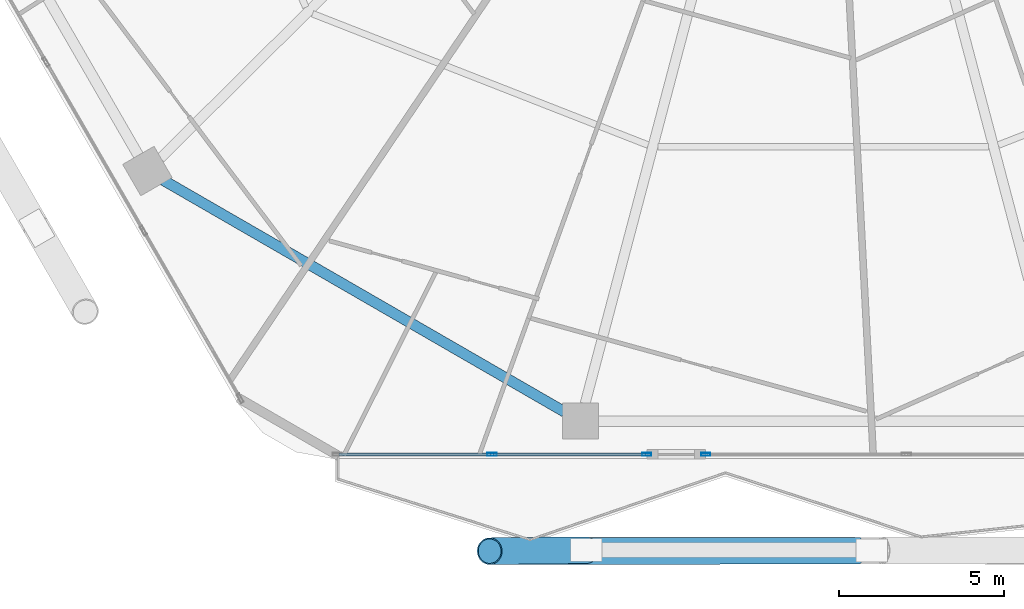
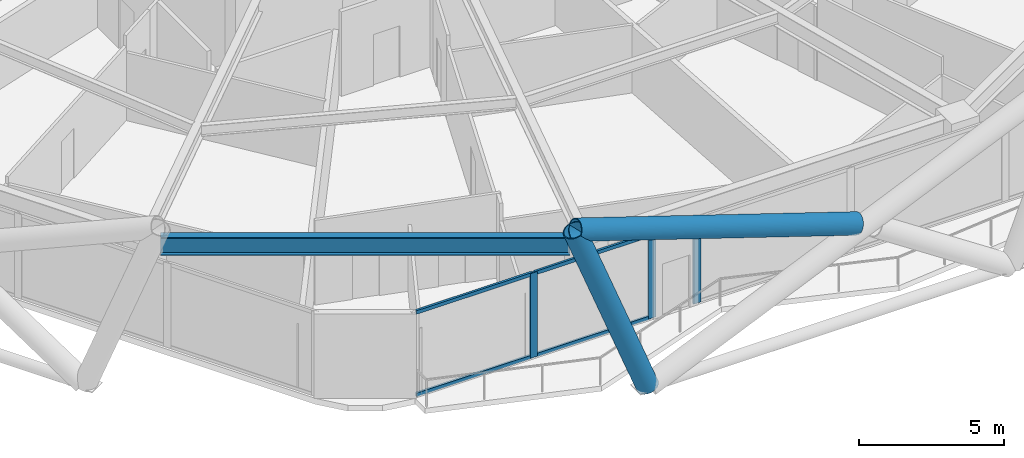
# One storey, part 3 of 35: 9 members, 1 beam, 2 elements without a shape of their own.
"""IFC4 building model written with IfcOpenShell, lengths in metres."""

from ifc_helpers import new_model, si_unit, direction, frame, origin, origin_2d, place, context, subcontext, project, spatial, hollow_rectangle, hollow_circle, i_section, extrude, material, material_profile, profile_set, type_object, element, aggregate, save


model = new_model("IFC4")

# Units and contexts
model_context = context("Model", 3, precision=1e-05, world=origin(), true_north=direction((0.0, 1.0)))
body_context = subcontext(model_context, "Body", "Model", "MODEL_VIEW")
ifc_project = project(units=[si_unit("LENGTHUNIT", "METRE"), si_unit("AREAUNIT", "SQUARE_METRE"), si_unit("VOLUMEUNIT", "CUBIC_METRE"), si_unit("PLANEANGLEUNIT", "RADIAN"), si_unit("MASSUNIT", "GRAM", prefix="KILO")], contexts=[model_context])

# Site, building, storey
site_placement = place(None, origin())
site = spatial("IfcSite", under=ifc_project, at=site_placement, CompositionType="ELEMENT")
building_placement = place(site_placement, origin())
building = spatial("IfcBuilding", under=site, at=building_placement, Name="Zuhravey Tower", CompositionType="ELEMENT")
storey_placement = place(building_placement, frame((0.0, 0.0, 115.199951171875)))
storey = spatial("IfcBuildingStorey", under=building, at=storey_placement, Name="L28", CompositionType="ELEMENT", Elevation=115.199951171875)

# Curtain wall, member
ifc_material_1 = material(Name="Thermally broken anodised aluminium", Category="aluminium")
curtain_wall_type = type_object("IfcCurtainWallType", Name="Zone 1-2 Residential Curtain Wall CW3", PredefinedType="NOTDEFINED", material=ifc_material_1)
curtain_wall_1_placement = place(storey_placement, origin())
curtain_wall_1 = element("IfcCurtainWall", 1, at=curtain_wall_1_placement, inside=storey, type_object=curtain_wall_type, Name="L28 CW3 CW-L28-F5-1", PredefinedType="NOTDEFINED")
ifc_material_2 = material(Name="Anodised aluminium", Category="aluminium")
ifc_material_profile_1 = material_profile(ifc_material_2, hollow_rectangle(XDim=0.090087890625, YDim=0.284912109375, WallThickness=0.0048828125, at=origin_2d()), Name="ALU-RHS-90x285x5")
ifc_profile_set_1 = profile_set([ifc_material_profile_1], Name="Anodised aluminium")
member_type_1 = type_object("IfcMemberType", Name="Curtain-Wall Mullion 90x180", PredefinedType="MULLION", material=ifc_profile_set_1)
member_1_placement = place(storey_placement, frame((32.4326171875, 3.04150390625, 0.0), z_axis=(0.0, 0.0, 1.0), x_axis=(0.0, -1.0, 0.0)))
member_1 = element("IfcMember", 2, at=member_1_placement, type_object=member_type_1, Name="CW3 mullion 4", PredefinedType="MULLION", context=body_context, shape_type="SweptSolid", body=[
    extrude(hollow_rectangle(XDim=0.090087890625, YDim=0.284912109375, WallThickness=0.0048828125, at=origin_2d()), origin(), (0.0, 0.0, 1.0), 3.550048828125),
])
aggregate(curtain_wall_1, [member_1])

# Curtain wall, members
curtain_wall_2_placement = place(storey_placement, origin())
curtain_wall_2 = element("IfcCurtainWall", 3, at=curtain_wall_2_placement, inside=storey, type_object=curtain_wall_type, Name="L28 CW3 CW-L28-F5-2", PredefinedType="NOTDEFINED")
member_2_placement = place(storey_placement, frame((30.642578125, 3.04150390625, 0.0), z_axis=(0.0, 0.0, 1.0), x_axis=(0.0, -1.0, 0.0)))
member_2 = element("IfcMember", 4, at=member_2_placement, type_object=member_type_1, Name="CW3 mullion 1", PredefinedType="MULLION", context=body_context, shape_type="SweptSolid", body=[
    extrude(hollow_rectangle(XDim=0.090087890625, YDim=0.284912109375, WallThickness=0.0048828125, at=origin_2d()), origin(), (0.0, 0.0, 1.0), 3.550048828125),
])
member_3_placement = place(storey_placement, frame((25.944091796875, 3.04150390625, 0.0), z_axis=(0.0, 0.0, 1.0), x_axis=(0.0, -1.0, 0.0)))
member_3 = element("IfcMember", 5, at=member_3_placement, type_object=member_type_1, Name="CW3 mullion 2", PredefinedType="MULLION", context=body_context, shape_type="SweptSolid", body=[
    extrude(hollow_rectangle(XDim=0.090087890625, YDim=0.284912109375, WallThickness=0.0048828125, at=origin_2d()), origin(), (0.0, 0.0, 1.0), 3.550048828125),
])
ifc_material_profile_2 = material_profile(ifc_material_2, hollow_rectangle(XDim=0.090087890625, YDim=0.14990234375, WallThickness=0.0048828125, at=origin_2d()), Name="ALU-RHS-90x150x5")
ifc_profile_set_2 = profile_set([ifc_material_profile_2], Name="Anodised aluminium")
member_type_2 = type_object("IfcMemberType", Name="Curtain-Wall Transom 90x150", PredefinedType="USERDEFINED", material=ifc_profile_set_2)
member_4_placement = place(storey_placement, frame((30.59765625, 3.04150390625, 0.045166015625), z_axis=(-1.0, 0.0, 0.0), x_axis=(0.0, -1.0, 0.0)))
member_4 = element("IfcMember", 6, at=member_4_placement, type_object=member_type_2, Name="CW3 transom 1.1", ObjectType="TRANSOM", PredefinedType="USERDEFINED", context=body_context, shape_type="SweptSolid", body=[
    extrude(hollow_rectangle(XDim=0.090087890625, YDim=0.14990234375, WallThickness=0.0048828125, at=origin_2d()), origin(), (0.0, 0.0, 1.0), 4.608642578125),
])
member_5_placement = place(storey_placement, frame((30.59765625, 3.04150390625, 3.505126953125), z_axis=(-1.0, 0.0, 0.0), x_axis=(0.0, -1.0, 0.0)))
member_5 = element("IfcMember", 7, at=member_5_placement, type_object=member_type_2, Name="CW3 transom 1.2", ObjectType="TRANSOM", PredefinedType="USERDEFINED", context=body_context, shape_type="SweptSolid", body=[
    extrude(hollow_rectangle(XDim=0.090087890625, YDim=0.14990234375, WallThickness=0.0048828125, at=origin_2d()), origin(), (0.0, 0.0, 1.0), 4.608642578125),
])
member_6_placement = place(storey_placement, frame((25.899169921875, 3.04150390625, 0.045166015625), z_axis=(-1.0, 0.0, 0.0), x_axis=(0.0, -1.0, 0.0)))
member_6 = element("IfcMember", 8, at=member_6_placement, type_object=member_type_2, Name="CW3 transom 2.1", ObjectType="TRANSOM", PredefinedType="USERDEFINED", context=body_context, shape_type="SweptSolid", body=[
    extrude(hollow_rectangle(XDim=0.090087890625, YDim=0.14990234375, WallThickness=0.0048828125, at=origin_2d()), origin(), (0.0, 0.0, 1.0), 4.608642578125),
])
member_7_placement = place(storey_placement, frame((25.899169921875, 3.04150390625, 3.505126953125), z_axis=(-1.0, 0.0, 0.0), x_axis=(0.0, -1.0, 0.0)))
member_7 = element("IfcMember", 9, at=member_7_placement, type_object=member_type_2, Name="CW3 transom 2.2", ObjectType="TRANSOM", PredefinedType="USERDEFINED", context=body_context, shape_type="SweptSolid", body=[
    extrude(hollow_rectangle(XDim=0.090087890625, YDim=0.14990234375, WallThickness=0.0048828125, at=origin_2d()), origin(), (0.0, 0.0, 1.0), 4.608642578125),
])
aggregate(curtain_wall_2, [member_2, member_3, member_4, member_5, member_6, member_7])

# Members
ifc_material_3 = material(Name="Steel SM460", Category="steel")
ifc_material_profile_3 = material_profile(ifc_material_3, hollow_circle(Radius=0.406494140625, WallThickness=0.035888671875, at=origin_2d()), Name="CHS-812.8x36")
ifc_profile_set_3 = profile_set([ifc_material_profile_3], Name="Steel SM460")
member_type_3 = type_object("IfcMemberType", Name="Exoskeleton Zone 1 Diagrid CHS813x36", PredefinedType="BRACE", material=ifc_profile_set_3)
member_8_placement = place(storey_placement, frame((28.797607421875, 0.13134765625, -0.44189453125), z_axis=(-0.36108971675, -0.003675980094, 0.932523835421), x_axis=(0.010179712835, -0.999948185381, 0.0)))
element("IfcMember", 10, at=member_8_placement, inside=storey, type_object=member_type_3, Name="L28 Face 5 Diagrid Brace 1", PredefinedType="BRACE", context=body_context, shape_type="SweptSolid", body=[
    extrude(hollow_circle(Radius=0.406494140625, WallThickness=0.035888671875, at=origin_2d()), origin(), (0.0, 0.0, 1.0), 8.1025390625),
])
member_9_placement = place(storey_placement, frame((37.0947265625, 0.115966796875, 3.45947265625), z_axis=(-0.950378901463, -0.001224527859, 0.311092340286), x_axis=(0.001288461729, -0.999999169933, 0.0)))
element("IfcMember", 11, at=member_9_placement, inside=storey, type_object=member_type_3, Name="L28 Face 5 Split Diagrid Brace 3B", PredefinedType="BRACE", context=body_context, shape_type="SweptSolid", body=[
    extrude(hollow_circle(Radius=0.406494140625, WallThickness=0.035888671875, at=origin_2d()), origin(), (0.0, 0.0, 1.0), 11.76318359375),
])

# Beam
ifc_material_4 = material(Name="Steel SM355", Category="steel")
ifc_material_profile_4 = material_profile(ifc_material_4, i_section(OverallWidth=0.320068359375, OverallDepth=0.75, WebThickness=0.013916015625, FlangeThickness=0.02490234375, at=origin_2d()), Name="H-750x320x14x25")
ifc_profile_set_4 = profile_set([ifc_material_profile_4], Name="Steel SM355")
beam_type = type_object("IfcBeamType", Name="Perimeter Ring Beam H750x320", PredefinedType="BEAM", material=ifc_profile_set_4)
beam_placement = place(storey_placement, frame((15.9599609375, 11.36669921875, 3.175048828125), z_axis=(0.866017786538, -0.500013193225, 0.0), x_axis=(0.500013193225, 0.866017786538, 0.0)))
element("IfcBeam", 12, at=beam_placement, inside=storey, type_object=beam_type, Name="L28 PB1 BM-L28-PB-08", PredefinedType="BEAM", context=body_context, shape_type="SweptSolid", body=[
    extrude(i_section(OverallWidth=0.320068359375, OverallDepth=0.75, WebThickness=0.013916015625, FlangeThickness=0.02490234375, at=origin_2d()), origin(), (0.0, 0.0, 1.0), 14.0771484375),
])

save(model, "model.ifc")
